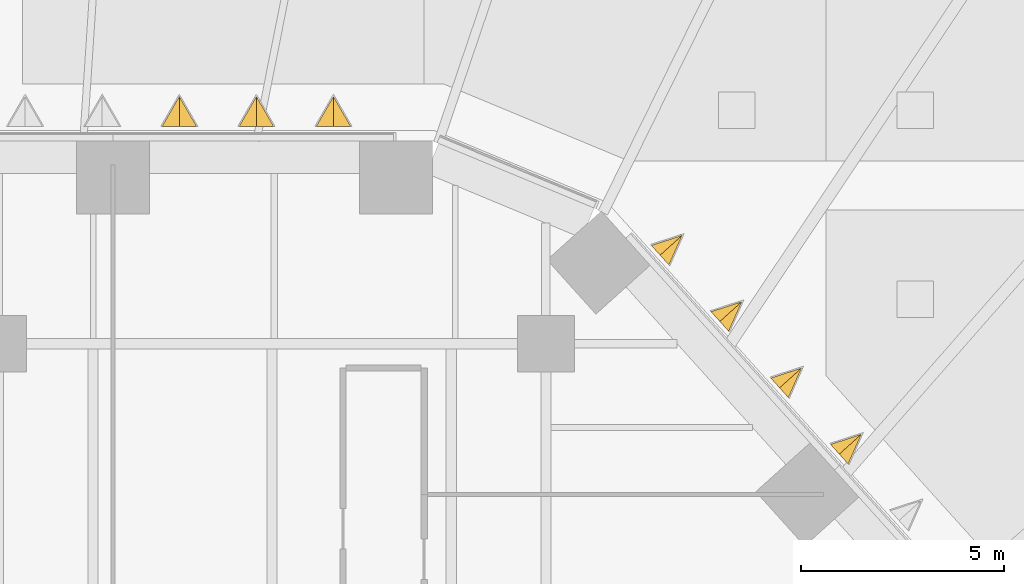
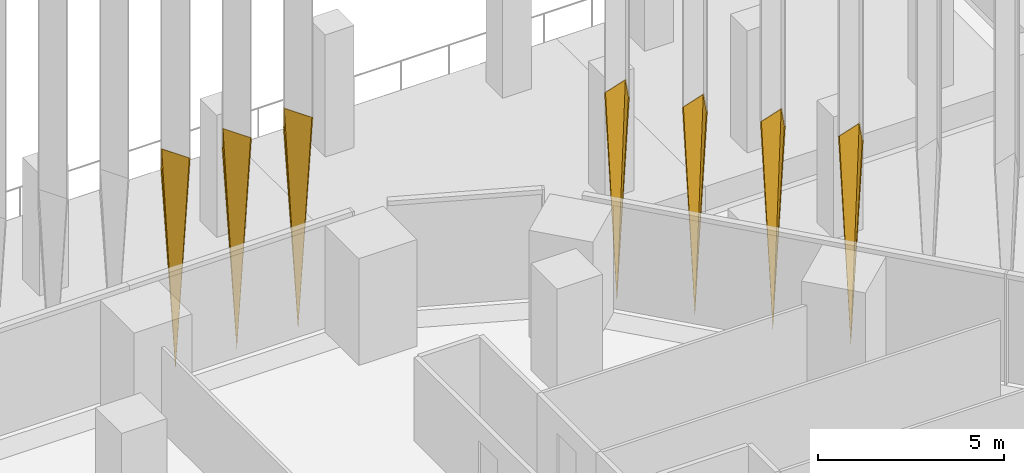
# One storey, part 49 of 51: 7 coverings.
"""IFC4 building model written with IfcOpenShell, lengths in metres."""

from ifc_helpers import new_model, si_unit, direction, frame, origin, place, context, subcontext, project, spatial, polyline, outline, faceted_brep, material, material_profile, profile_set, type_object, element, save


model = new_model("IFC4")

# Units and contexts
model_context = context("Model", 3, precision=1e-05, world=origin(), true_north=direction((0.0, 1.0)))
body_context = subcontext(model_context, "Body", "Model", "MODEL_VIEW")
ifc_project = project(units=[si_unit("LENGTHUNIT", "METRE"), si_unit("AREAUNIT", "SQUARE_METRE"), si_unit("VOLUMEUNIT", "CUBIC_METRE"), si_unit("PLANEANGLEUNIT", "RADIAN"), si_unit("MASSUNIT", "GRAM", prefix="KILO")], contexts=[model_context])

# Site, building, storey
site_placement = place(None, origin())
site = spatial("IfcSite", under=ifc_project, at=site_placement, CompositionType="ELEMENT")
building_placement = place(site_placement, origin())
building = spatial("IfcBuilding", under=site, at=building_placement, Name="Isthmus Gate Tower", CompositionType="ELEMENT")
storey_placement = place(building_placement, frame((0.0, 0.0, 36.0)))
storey = spatial("IfcBuildingStorey", under=building, at=storey_placement, Name="L06", CompositionType="ELEMENT", Elevation=36.0)

# Coverings
ifc_material_1 = material(Name="Structural steel ASTM A572 Gr 50, white paint system", Category="steel")
ifc_material_profile_1 = material_profile(ifc_material_1, outline(polyline([(0.0, -0.356201171875), (0.800048828125, 0.0), (0.0, 0.356201171875), (0.0, 0.3232421875), (0.726318359375, 0.0), (0.0, -0.3232421875), (0.0, -0.356201171875)])), Name="V800")
ifc_profile_set_1 = profile_set([ifc_material_profile_1], Name="Structural steel ASTM A572 Gr 50, white paint system")
covering_type_1 = type_object("IfcCoveringType", Name="FIN V 800 DEEP FOOT", PredefinedType="CLADDING", material=ifc_profile_set_1)
covering_1_placement = place(storey_placement, frame((0.0, 0.0, -36.0)))
element("IfcCovering", 1, at=covering_1_placement, inside=storey, type_object=covering_type_1, Name="FIN", ObjectType="FIN", PredefinedType="CLADDING", context=body_context, shape_type="Brep", body=[
    faceted_brep([(20.969970703125, 24.01171875, 42.89990234375), (21.326171875, 24.811767578125, 42.89990234375), (20.493408203125, 24.541015625, 42.89990234375), (20.515380859375, 24.5166015625, 42.89990234375), (21.271484375, 24.76220703125, 42.89990234375), (20.947998046875, 24.0361328125, 42.89990234375), (20.731689453125, 24.2763671875, 36.10009765625)], [[[0, 1, 2, 3, 4, 5]], [[1, 0, 6]], [[2, 1, 6]], [[3, 2, 6]], [[4, 3, 6]], [[5, 4, 6]], [[0, 5, 6]]]),
])
covering_2_placement = place(storey_placement, frame((0.0, 0.0, -36.0)))
element("IfcCovering", 2, at=covering_2_placement, inside=storey, type_object=covering_type_1, Name="FIN", ObjectType="FIN", PredefinedType="CLADDING", context=body_context, shape_type="Brep", body=[
    faceted_brep([(19.497802734375, 25.646728515625, 42.89990234375), (19.85400390625, 26.44677734375, 42.89990234375), (19.021240234375, 26.176025390625, 42.89990234375), (19.043212890625, 26.151611328125, 42.89990234375), (19.79931640625, 26.397216796875, 42.89990234375), (19.475830078125, 25.671142578125, 42.89990234375), (19.259521484375, 25.911376953125, 36.10009765625)], [[[0, 1, 2, 3, 4, 5]], [[1, 0, 6]], [[2, 1, 6]], [[3, 2, 6]], [[4, 3, 6]], [[5, 4, 6]], [[0, 5, 6]]]),
])
covering_3_placement = place(storey_placement, frame((0.0, 0.0, -36.0)))
element("IfcCovering", 3, at=covering_3_placement, inside=storey, type_object=covering_type_1, Name="FIN", ObjectType="FIN", PredefinedType="CLADDING", context=body_context, shape_type="Brep", body=[
    faceted_brep([(18.025634765625, 27.28173828125, 42.89990234375), (18.3818359375, 28.081787109375, 42.89990234375), (17.549072265625, 27.81103515625, 42.89990234375), (17.571044921875, 27.78662109375, 42.89990234375), (18.3271484375, 28.0322265625, 42.89990234375), (18.003662109375, 27.30615234375, 42.89990234375), (17.787353515625, 27.54638671875, 36.10009765625)], [[[0, 1, 2, 3, 4, 5]], [[1, 0, 6]], [[2, 1, 6]], [[3, 2, 6]], [[4, 3, 6]], [[5, 4, 6]], [[0, 5, 6]]]),
])
covering_4_placement = place(storey_placement, frame((0.0, 0.0, -36.0)))
element("IfcCovering", 4, at=covering_4_placement, inside=storey, type_object=covering_type_1, Name="FIN", ObjectType="FIN", PredefinedType="CLADDING", context=body_context, shape_type="Brep", body=[
    faceted_brep([(16.5537109375, 28.91650390625, 42.89990234375), (16.909912109375, 29.716552734375, 42.89990234375), (16.0771484375, 29.44580078125, 42.89990234375), (16.09912109375, 29.42138671875, 42.89990234375), (16.855224609375, 29.6669921875, 42.89990234375), (16.53173828125, 28.94091796875, 42.89990234375), (16.3154296875, 29.18115234375, 36.10009765625)], [[[0, 1, 2, 3, 4, 5]], [[1, 0, 6]], [[2, 1, 6]], [[3, 2, 6]], [[4, 3, 6]], [[5, 4, 6]], [[0, 5, 6]]]),
])
ifc_material_2 = material(Name="Structural steel ASTM A572 Gr 50, white paint system", Category="steel")
ifc_material_profile_2 = material_profile(ifc_material_2, outline(polyline([(0.0, -0.4619140625), (0.800048828125, 0.0), (0.0, 0.4619140625), (0.0, 0.42724609375), (0.739990234375, 0.0), (0.0, -0.42724609375), (0.0, -0.4619140625)])), Name="V800W")
ifc_profile_set_2 = profile_set([ifc_material_profile_2], Name="Structural steel ASTM A572 Gr 50, white paint system")
covering_type_2 = type_object("IfcCoveringType", Name="FIN V 800 DEEP WIDE FOOT", PredefinedType="CLADDING", material=ifc_profile_set_2)
covering_5_placement = place(storey_placement, frame((0.0, 0.0, -36.0)))
element("IfcCovering", 5, at=covering_5_placement, inside=storey, type_object=covering_type_2, Name="FIN", ObjectType="FIN", PredefinedType="CLADDING", context=body_context, shape_type="Brep", body=[
    faceted_brep([(8.724609375, 32.35009765625, 42.89990234375), (8.2626953125, 33.150146484375, 42.89990234375), (7.80078125, 32.35009765625, 42.89990234375), (7.83544921875, 32.35009765625, 42.89990234375), (8.2626953125, 33.090087890625, 42.89990234375), (8.68994140625, 32.35009765625, 42.89990234375), (8.2626953125, 32.35009765625, 36.10009765625)], [[[0, 1, 2, 3, 4, 5]], [[1, 0, 6]], [[2, 1, 6]], [[3, 2, 6]], [[4, 3, 6]], [[5, 4, 6]], [[0, 5, 6]]]),
])
covering_6_placement = place(storey_placement, frame((0.0, 0.0, -36.0)))
element("IfcCovering", 6, at=covering_6_placement, inside=storey, type_object=covering_type_2, Name="FIN", ObjectType="FIN", PredefinedType="CLADDING", context=body_context, shape_type="Brep", body=[
    faceted_brep([(6.82470703125, 32.35009765625, 42.89990234375), (6.36279296875, 33.150146484375, 42.89990234375), (5.90087890625, 32.35009765625, 42.89990234375), (5.935546875, 32.35009765625, 42.89990234375), (6.36279296875, 33.090087890625, 42.89990234375), (6.7900390625, 32.35009765625, 42.89990234375), (6.36279296875, 32.35009765625, 36.10009765625)], [[[0, 1, 2, 3, 4, 5]], [[1, 0, 6]], [[2, 1, 6]], [[3, 2, 6]], [[4, 3, 6]], [[5, 4, 6]], [[0, 5, 6]]]),
])
covering_7_placement = place(storey_placement, frame((0.0, 0.0, -36.0)))
element("IfcCovering", 7, at=covering_7_placement, inside=storey, type_object=covering_type_2, Name="FIN", ObjectType="FIN", PredefinedType="CLADDING", context=body_context, shape_type="Brep", body=[
    faceted_brep([(4.9248046875, 32.35009765625, 42.89990234375), (4.462890625, 33.150146484375, 42.89990234375), (4.0009765625, 32.35009765625, 42.89990234375), (4.03564453125, 32.35009765625, 42.89990234375), (4.462890625, 33.090087890625, 42.89990234375), (4.89013671875, 32.35009765625, 42.89990234375), (4.462890625, 32.35009765625, 36.10009765625)], [[[0, 1, 2, 3, 4, 5]], [[1, 0, 6]], [[2, 1, 6]], [[3, 2, 6]], [[4, 3, 6]], [[5, 4, 6]], [[0, 5, 6]]]),
])

save(model, "model.ifc")
